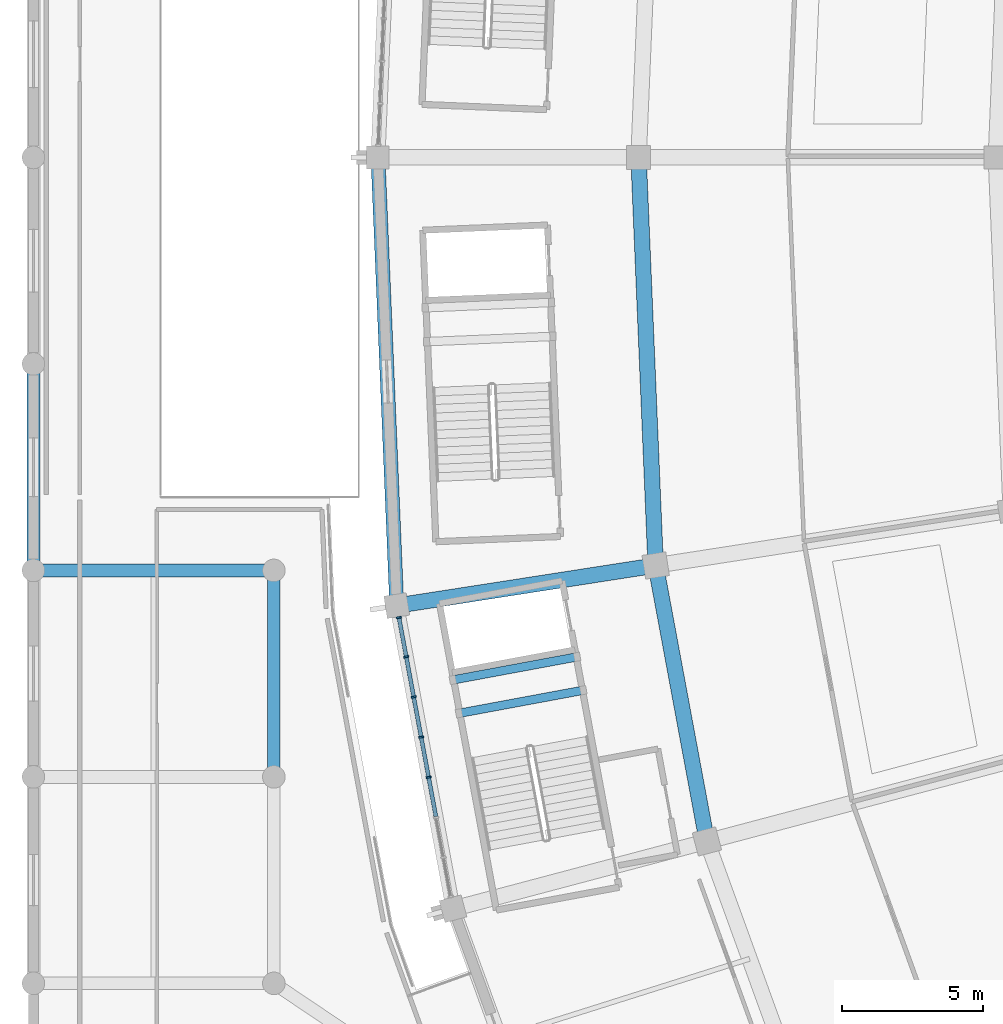
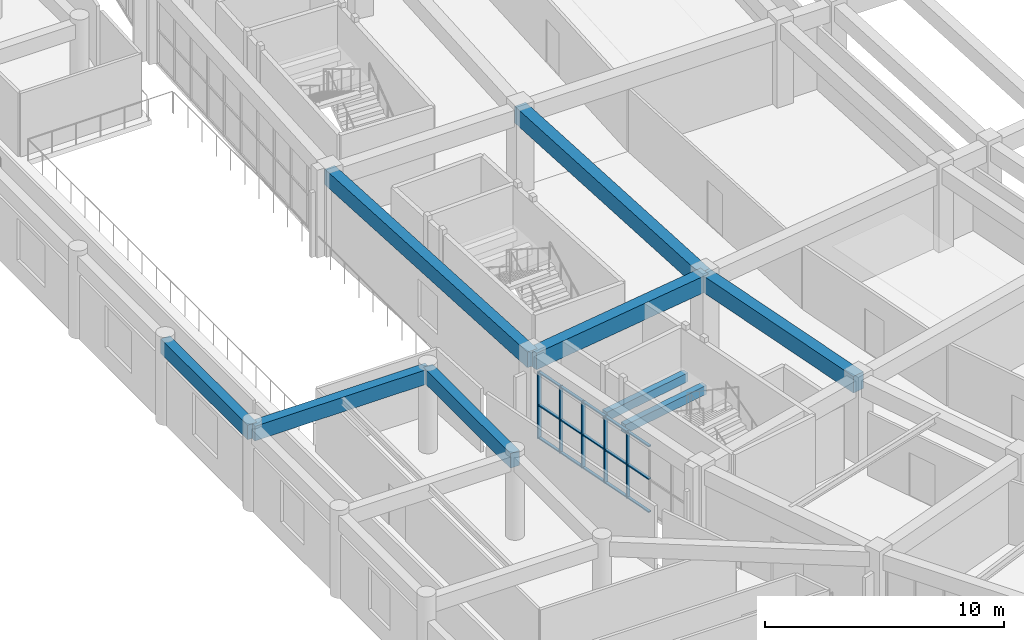
# One storey, part 25 of 145: 20 members, 9 beams, 1 element without a shape of its own.
"""IFC4 building model written with IfcOpenShell, lengths in metres."""

from ifc_helpers import new_model, si_unit, direction, frame, origin, origin_2d, place, context, subcontext, project, spatial, rectangle, extrude, material, layer, layer_set, material_profile, profile_set, type_object, element, aggregate, save


model = new_model("IFC4")

# Units and contexts
model_context = context("Model", 3, precision=1e-05, world=origin(), true_north=direction((0.0, 1.0)))
body_context = subcontext(model_context, "Body", "Model", "MODEL_VIEW")
ifc_project = project(units=[si_unit("LENGTHUNIT", "METRE"), si_unit("AREAUNIT", "SQUARE_METRE"), si_unit("VOLUMEUNIT", "CUBIC_METRE"), si_unit("PLANEANGLEUNIT", "RADIAN"), si_unit("MASSUNIT", "GRAM", prefix="KILO")], contexts=[model_context])

# Site, building, storey
site_placement = place(None, origin())
site = spatial("IfcSite", under=ifc_project, at=site_placement, CompositionType="ELEMENT")
building_placement = place(site_placement, origin())
building = spatial("IfcBuilding", under=site, at=building_placement, Name="Mphavela Belvedere Stadium", CompositionType="ELEMENT")
storey_placement = place(building_placement, frame((0.0, 0.0, 10.199951171875)))
storey = spatial("IfcBuildingStorey", under=building, at=storey_placement, Name="L02", CompositionType="ELEMENT", Elevation=10.199951171875)

# Beams
ifc_material_1 = material(Name="Concrete C40/50", Category="concrete")
ifc_material_profile_1 = material_profile(ifc_material_1, rectangle(XDim=0.300048828125, YDim=0.449951171875, at=origin_2d()), Name="RC 300x450")
ifc_profile_set_1 = profile_set([ifc_material_profile_1], Name="Concrete C40/50")
beam_type_1 = type_object("IfcBeamType", Name="BM-RC300x450", PredefinedType="BEAM", material=ifc_profile_set_1)
beam_1_placement = place(storey_placement, frame((19.440673828125, 68.16357421875, 1.824951171875), z_axis=(-0.9831891563, -0.182589931088, 0.0), x_axis=(0.182589931088, -0.9831891563, 0.0)))
element("IfcBeam", 1, at=beam_1_placement, inside=storey, type_object=beam_type_1, Name="Core C09 landing trimmer beam L02-1", PredefinedType="BEAM", context=body_context, shape_type="SweptSolid", body=[
    extrude(rectangle(XDim=0.300048828125, YDim=0.449951171875, at=origin_2d()), origin(), (0.0, 0.0, 1.0), 4.469970703125),
])
beam_2_placement = place(storey_placement, frame((19.2216796875, 69.343505859375, 1.824951171875), z_axis=(-0.983190977087, -0.182580126453, 0.0), x_axis=(0.182580126453, -0.983190977087, 0.0)))
element("IfcBeam", 2, at=beam_2_placement, inside=storey, type_object=beam_type_1, Name="Core C09 landing trimmer beam L02-2", PredefinedType="BEAM", context=body_context, shape_type="SweptSolid", body=[
    extrude(rectangle(XDim=0.300048828125, YDim=0.449951171875, at=origin_2d()), origin(), (0.0, 0.0, 1.0), 4.47021484375),
])
ifc_material_2 = material(Name="Concrete C40/50", Category="concrete")
ifc_material_profile_2 = material_profile(ifc_material_2, rectangle(XDim=0.449951171875, YDim=0.75, at=origin_2d()), Name="RC 450x750")
ifc_profile_set_2 = profile_set([ifc_material_profile_2], Name="Concrete C40/50")
beam_type_2 = type_object("IfcBeamType", Name="BM-RC450x750", PredefinedType="BEAM", material=ifc_profile_set_2)
beam_3_placement = place(storey_placement, frame((0.0, 72.39990234375, 3.864990234375), z_axis=(1.0, 0.0, 0.0), x_axis=(0.0, 1.0, 0.0)))
element("IfcBeam", 3, at=beam_3_placement, inside=storey, type_object=beam_type_2, Name="West Planted Eaves Peristyle Colonnade entablature beam X L02 1-4", PredefinedType="BEAM", context=body_context, shape_type="SweptSolid", body=[
    extrude(rectangle(XDim=0.449951171875, YDim=0.75, at=origin_2d()), origin(), (0.0, 0.0, 1.0), 8.5),
])
beam_4_placement = place(storey_placement, frame((0.0, 72.39990234375, 3.864990234375), z_axis=(0.0, 1.0, 0.0), x_axis=(-1.0, 0.0, 0.0)))
element("IfcBeam", 4, at=beam_4_placement, inside=storey, type_object=beam_type_2, Name="West Planted Eaves Peristyle Colonnade entablature beam Y L02 1-4", PredefinedType="BEAM", context=body_context, shape_type="SweptSolid", body=[
    extrude(rectangle(XDim=0.449951171875, YDim=0.75, at=origin_2d()), origin(), (0.0, 0.0, 1.0), 7.300048828125),
])
beam_5_placement = place(storey_placement, frame((8.5, 65.10009765625, 3.864990234375), z_axis=(0.0, 1.0, 0.0), x_axis=(-1.0, 0.0, 0.0)))
element("IfcBeam", 5, at=beam_5_placement, inside=storey, type_object=beam_type_2, Name="West Planted Eaves Peristyle Colonnade entablature beam Y L02 2-3", PredefinedType="BEAM", context=body_context, shape_type="SweptSolid", body=[
    extrude(rectangle(XDim=0.449951171875, YDim=0.75, at=origin_2d()), origin(), (0.0, 0.0, 1.0), 7.2998046875),
])
ifc_material_3 = material(Name="Concrete C40/50", Category="concrete")
ifc_material_profile_3 = material_profile(ifc_material_3, rectangle(XDim=0.550048828125, YDim=0.85009765625, at=origin_2d()), Name="RC 550x850")
ifc_profile_set_3 = profile_set([ifc_material_profile_3], Name="Concrete C40/50")
beam_type_3 = type_object("IfcBeamType", Name="BM-RC550x850", PredefinedType="BEAM", material=ifc_profile_set_3)
beam_6_placement = place(storey_placement, frame((21.39501953125, 87.0, 3.824951171875), z_axis=(0.041903450766, -0.99912166467, 0.0), x_axis=(0.99912166467, 0.041903450766, 0.0)))
element("IfcBeam", 6, at=beam_6_placement, inside=storey, type_object=beam_type_3, Name="Circumferential girder L02 R3-25", PredefinedType="BEAM", context=body_context, shape_type="SweptSolid", body=[
    extrude(rectangle(XDim=0.550048828125, YDim=0.85009765625, at=origin_2d()), origin(), (0.0, 0.0, 1.0), 14.4375),
])
beam_7_placement = place(storey_placement, frame((22.0, 72.5751953125, 3.824951171875), z_axis=(0.182638056683, -0.983180217585, 0.0), x_axis=(0.983180217585, 0.182638056683, 0.0)))
element("IfcBeam", 7, at=beam_7_placement, inside=storey, type_object=beam_type_3, Name="Circumferential girder L02 R3-26", PredefinedType="BEAM", context=body_context, shape_type="SweptSolid", body=[
    extrude(rectangle(XDim=0.550048828125, YDim=0.85009765625, at=origin_2d()), origin(), (0.0, 0.0, 1.0), 9.924072265625),
])
beam_8_placement = place(storey_placement, frame((22.0, 72.5751953125, 3.824951171875), z_axis=(-0.988182369303, -0.153282761586, 0.0), x_axis=(0.153282761586, -0.988182369303, 0.0)))
element("IfcBeam", 8, at=beam_8_placement, inside=storey, type_object=beam_type_3, Name="Radial concourse girder L02 R3R4-26", PredefinedType="BEAM", context=body_context, shape_type="SweptSolid", body=[
    extrude(rectangle(XDim=0.550048828125, YDim=0.85009765625, at=origin_2d()), origin(), (0.0, 0.0, 1.0), 9.264892578125),
])
ifc_material_4 = material(Name="Concrete C40/50", Category="concrete")
ifc_material_profile_4 = material_profile(ifc_material_4, rectangle(XDim=0.5, YDim=0.800048828125, at=origin_2d()), Name="RC 500x800")
ifc_profile_set_4 = profile_set([ifc_material_profile_4], Name="Concrete C40/50")
beam_type_4 = type_object("IfcBeamType", Name="BM-SPANDREL-800", PredefinedType="SPANDREL", material=ifc_profile_set_4)
beam_9_placement = place(storey_placement, frame((12.179931640625, 87.0, 3.85009765625), z_axis=(0.041903963155, -0.999121643181, 0.0), x_axis=(0.999121643181, 0.041903963155, 0.0)))
element("IfcBeam", 9, at=beam_9_placement, inside=storey, type_object=beam_type_4, Name="Circumferential girder L02 R4-25", PredefinedType="SPANDREL", context=body_context, shape_type="SweptSolid", body=[
    extrude(rectangle(XDim=0.5, YDim=0.800048828125, at=origin_2d()), origin(), (0.0, 0.0, 1.0), 15.85888671875),
])

# Curtain wall, members
ifc_material_5 = material(Name="Anodised bronze unitised curtain wall framing")
ifc_layer = layer(ifc_material_5, 0.195068359375)
ifc_layer_set = layer_set([ifc_layer], Name="Anodised bronze unitised curtain wall framing")
curtain_wall_type = type_object("IfcCurtainWallType", Name="CW-UNIT-04", PredefinedType="USERDEFINED", material=ifc_layer_set)
curtain_wall_placement = place(storey_placement, origin())
curtain_wall = element("IfcCurtainWall", 10, at=curtain_wall_placement, inside=storey, type_object=curtain_wall_type, Name="Belvedere colonnade curtain wall L02-26", ObjectType="UNITISED CURTAIN WALL", PredefinedType="USERDEFINED")
ifc_material_6 = material(Name="Anodised bronze extruded aluminium", Category="aluminium")
ifc_material_profile_5 = material_profile(ifc_material_6, rectangle(XDim=0.179931640625, YDim=0.06494140625, at=origin_2d()), Name="CW-MUL 180x65")
ifc_profile_set_5 = profile_set([ifc_material_profile_5], Name="Anodised bronze extruded aluminium")
member_type_1 = type_object("IfcMemberType", Name="CWM-180x65", PredefinedType="MULLION", material=ifc_profile_set_5)
member_1_placement = place(storey_placement, frame((12.92333984375, 70.731689453125, 0.0), z_axis=(0.0, 0.0, 1.0), x_axis=(0.983182568174, 0.182625402503, 0.0)))
member_1 = element("IfcMember", 11, at=member_1_placement, type_object=member_type_1, Name="CW-04 mullion 1", PredefinedType="MULLION", context=body_context, shape_type="SweptSolid", body=[
    extrude(rectangle(XDim=0.179931640625, YDim=0.06494140625, at=origin_2d()), origin(), (0.0, 0.0, 1.0), 3.420166015625),
])
member_2_placement = place(storey_placement, frame((13.180908203125, 69.344482421875, 0.0), z_axis=(0.0, 0.0, 1.0), x_axis=(0.983182568174, 0.182625402503, 0.0)))
member_2 = element("IfcMember", 12, at=member_2_placement, type_object=member_type_1, Name="CW-04 mullion 2", PredefinedType="MULLION", context=body_context, shape_type="SweptSolid", body=[
    extrude(rectangle(XDim=0.179931640625, YDim=0.06494140625, at=origin_2d()), origin(), (0.0, 0.0, 1.0), 3.420166015625),
])
member_3_placement = place(storey_placement, frame((13.444580078125, 67.925048828125, 0.0), z_axis=(0.0, 0.0, 1.0), x_axis=(0.983182568174, 0.182625402503, 0.0)))
member_3 = element("IfcMember", 13, at=member_3_placement, type_object=member_type_1, Name="CW-04 mullion 3", PredefinedType="MULLION", context=body_context, shape_type="SweptSolid", body=[
    extrude(rectangle(XDim=0.179931640625, YDim=0.06494140625, at=origin_2d()), origin(), (0.0, 0.0, 1.0), 3.420166015625),
])
member_4_placement = place(storey_placement, frame((13.708251953125, 66.505859375, 0.0), z_axis=(0.0, 0.0, 1.0), x_axis=(0.983182568174, 0.182625402503, 0.0)))
member_4 = element("IfcMember", 14, at=member_4_placement, type_object=member_type_1, Name="CW-04 mullion 4", PredefinedType="MULLION", context=body_context, shape_type="SweptSolid", body=[
    extrude(rectangle(XDim=0.179931640625, YDim=0.06494140625, at=origin_2d()), origin(), (0.0, 0.0, 1.0), 3.420166015625),
])
member_5_placement = place(storey_placement, frame((13.971923828125, 65.086669921875, 0.0), z_axis=(0.0, 0.0, 1.0), x_axis=(0.983182568174, 0.182625402503, 0.0)))
member_5 = element("IfcMember", 15, at=member_5_placement, type_object=member_type_1, Name="CW-04 mullion 5", PredefinedType="MULLION", context=body_context, shape_type="SweptSolid", body=[
    extrude(rectangle(XDim=0.179931640625, YDim=0.06494140625, at=origin_2d()), origin(), (0.0, 0.0, 1.0), 3.420166015625),
])
ifc_material_7 = material(Name="Anodised bronze extruded aluminium", Category="aluminium")
ifc_material_profile_6 = material_profile(ifc_material_7, rectangle(XDim=0.139892578125, YDim=0.06005859375, at=origin_2d()), Name="CW-TRN 140x60")
ifc_profile_set_6 = profile_set([ifc_material_profile_6], Name="Anodised bronze extruded aluminium")
member_type_2 = type_object("IfcMemberType", Name="CWT-140x60", PredefinedType="USERDEFINED", material=ifc_profile_set_6)
member_6_placement = place(storey_placement, frame((12.92919921875, 70.69970703125, 0.030029296875), z_axis=(0.182667343216, -0.983174776793, 0.0), x_axis=(0.983174776793, 0.182667343216, 0.0)))
member_6 = element("IfcMember", 16, at=member_6_placement, type_object=member_type_2, Name="CW-04 transom 1.1", ObjectType="TRANSOM", PredefinedType="USERDEFINED", context=body_context, shape_type="SweptSolid", body=[
    extrude(rectangle(XDim=0.139892578125, YDim=0.06005859375, at=origin_2d()), origin(), (0.0, 0.0, 1.0), 1.345947265625),
])
member_7_placement = place(storey_placement, frame((12.92919921875, 70.69970703125, 1.7099609375), z_axis=(0.182667343216, -0.983174776793, 0.0), x_axis=(0.983174776793, 0.182667343216, 0.0)))
member_7 = element("IfcMember", 17, at=member_7_placement, type_object=member_type_2, Name="CW-04 transom 1.2", ObjectType="TRANSOM", PredefinedType="USERDEFINED", context=body_context, shape_type="SweptSolid", body=[
    extrude(rectangle(XDim=0.139892578125, YDim=0.06005859375, at=origin_2d()), origin(), (0.0, 0.0, 1.0), 1.345947265625),
])
member_8_placement = place(storey_placement, frame((12.92919921875, 70.69970703125, 3.39013671875), z_axis=(0.182667343216, -0.983174776793, 0.0), x_axis=(0.983174776793, 0.182667343216, 0.0)))
member_8 = element("IfcMember", 18, at=member_8_placement, type_object=member_type_2, Name="CW-04 transom 1.3", ObjectType="TRANSOM", PredefinedType="USERDEFINED", context=body_context, shape_type="SweptSolid", body=[
    extrude(rectangle(XDim=0.139892578125, YDim=0.06005859375, at=origin_2d()), origin(), (0.0, 0.0, 1.0), 1.345947265625),
])
member_9_placement = place(storey_placement, frame((13.186767578125, 69.3125, 0.030029296875), z_axis=(0.182748697286, -0.983159658265, 0.0), x_axis=(0.983159658265, 0.182748697286, 0.0)))
member_9 = element("IfcMember", 19, at=member_9_placement, type_object=member_type_2, Name="CW-04 transom 2.1", ObjectType="TRANSOM", PredefinedType="USERDEFINED", context=body_context, shape_type="SweptSolid", body=[
    extrude(rectangle(XDim=0.139892578125, YDim=0.06005859375, at=origin_2d()), origin(), (0.0, 0.0, 1.0), 1.378662109375),
])
member_10_placement = place(storey_placement, frame((13.186767578125, 69.3125, 1.7099609375), z_axis=(0.182748697286, -0.983159658265, 0.0), x_axis=(0.983159658265, 0.182748697286, 0.0)))
member_10 = element("IfcMember", 20, at=member_10_placement, type_object=member_type_2, Name="CW-04 transom 2.2", ObjectType="TRANSOM", PredefinedType="USERDEFINED", context=body_context, shape_type="SweptSolid", body=[
    extrude(rectangle(XDim=0.139892578125, YDim=0.06005859375, at=origin_2d()), origin(), (0.0, 0.0, 1.0), 1.378662109375),
])
member_11_placement = place(storey_placement, frame((13.186767578125, 69.3125, 3.39013671875), z_axis=(0.182748697286, -0.983159658265, 0.0), x_axis=(0.983159658265, 0.182748697286, 0.0)))
member_11 = element("IfcMember", 21, at=member_11_placement, type_object=member_type_2, Name="CW-04 transom 2.3", ObjectType="TRANSOM", PredefinedType="USERDEFINED", context=body_context, shape_type="SweptSolid", body=[
    extrude(rectangle(XDim=0.139892578125, YDim=0.06005859375, at=origin_2d()), origin(), (0.0, 0.0, 1.0), 1.378662109375),
])
member_12_placement = place(storey_placement, frame((13.450439453125, 67.893310546875, 0.030029296875), z_axis=(0.182577520933, -0.983191460932, 0.0), x_axis=(0.983191460932, 0.182577520933, 0.0)))
member_12 = element("IfcMember", 22, at=member_12_placement, type_object=member_type_2, Name="CW-04 transom 3.1", ObjectType="TRANSOM", PredefinedType="USERDEFINED", context=body_context, shape_type="SweptSolid", body=[
    extrude(rectangle(XDim=0.139892578125, YDim=0.06005859375, at=origin_2d()), origin(), (0.0, 0.0, 1.0), 1.378662109375),
])
member_13_placement = place(storey_placement, frame((13.450439453125, 67.893310546875, 1.7099609375), z_axis=(0.182577520933, -0.983191460932, 0.0), x_axis=(0.983191460932, 0.182577520933, 0.0)))
member_13 = element("IfcMember", 23, at=member_13_placement, type_object=member_type_2, Name="CW-04 transom 3.2", ObjectType="TRANSOM", PredefinedType="USERDEFINED", context=body_context, shape_type="SweptSolid", body=[
    extrude(rectangle(XDim=0.139892578125, YDim=0.06005859375, at=origin_2d()), origin(), (0.0, 0.0, 1.0), 1.378662109375),
])
member_14_placement = place(storey_placement, frame((13.450439453125, 67.893310546875, 3.39013671875), z_axis=(0.182577520933, -0.983191460932, 0.0), x_axis=(0.983191460932, 0.182577520933, 0.0)))
member_14 = element("IfcMember", 24, at=member_14_placement, type_object=member_type_2, Name="CW-04 transom 3.3", ObjectType="TRANSOM", PredefinedType="USERDEFINED", context=body_context, shape_type="SweptSolid", body=[
    extrude(rectangle(XDim=0.139892578125, YDim=0.06005859375, at=origin_2d()), origin(), (0.0, 0.0, 1.0), 1.378662109375),
])
member_15_placement = place(storey_placement, frame((13.714111328125, 66.473876953125, 0.030029296875), z_axis=(0.182609315167, -0.983185556248, 0.0), x_axis=(0.983185556248, 0.182609315167, 0.0)))
member_15 = element("IfcMember", 25, at=member_15_placement, type_object=member_type_2, Name="CW-04 transom 4.1", ObjectType="TRANSOM", PredefinedType="USERDEFINED", context=body_context, shape_type="SweptSolid", body=[
    extrude(rectangle(XDim=0.139892578125, YDim=0.06005859375, at=origin_2d()), origin(), (0.0, 0.0, 1.0), 1.37841796875),
])
member_16_placement = place(storey_placement, frame((13.714111328125, 66.473876953125, 1.7099609375), z_axis=(0.182609315167, -0.983185556248, 0.0), x_axis=(0.983185556248, 0.182609315167, 0.0)))
member_16 = element("IfcMember", 26, at=member_16_placement, type_object=member_type_2, Name="CW-04 transom 4.2", ObjectType="TRANSOM", PredefinedType="USERDEFINED", context=body_context, shape_type="SweptSolid", body=[
    extrude(rectangle(XDim=0.139892578125, YDim=0.06005859375, at=origin_2d()), origin(), (0.0, 0.0, 1.0), 1.37841796875),
])
member_17_placement = place(storey_placement, frame((13.714111328125, 66.473876953125, 3.39013671875), z_axis=(0.182609315167, -0.983185556248, 0.0), x_axis=(0.983185556248, 0.182609315167, 0.0)))
member_17 = element("IfcMember", 27, at=member_17_placement, type_object=member_type_2, Name="CW-04 transom 4.3", ObjectType="TRANSOM", PredefinedType="USERDEFINED", context=body_context, shape_type="SweptSolid", body=[
    extrude(rectangle(XDim=0.139892578125, YDim=0.06005859375, at=origin_2d()), origin(), (0.0, 0.0, 1.0), 1.37841796875),
])
member_18_placement = place(storey_placement, frame((13.977783203125, 65.0546875, 0.030029296875), z_axis=(0.182577520933, -0.983191460932, 0.0), x_axis=(0.983191460932, 0.182577520933, 0.0)))
member_18 = element("IfcMember", 28, at=member_18_placement, type_object=member_type_2, Name="CW-04 transom 5.1", ObjectType="TRANSOM", PredefinedType="USERDEFINED", context=body_context, shape_type="SweptSolid", body=[
    extrude(rectangle(XDim=0.139892578125, YDim=0.06005859375, at=origin_2d()), origin(), (0.0, 0.0, 1.0), 1.378662109375),
])
member_19_placement = place(storey_placement, frame((13.977783203125, 65.0546875, 1.7099609375), z_axis=(0.182577520933, -0.983191460932, 0.0), x_axis=(0.983191460932, 0.182577520933, 0.0)))
member_19 = element("IfcMember", 29, at=member_19_placement, type_object=member_type_2, Name="CW-04 transom 5.2", ObjectType="TRANSOM", PredefinedType="USERDEFINED", context=body_context, shape_type="SweptSolid", body=[
    extrude(rectangle(XDim=0.139892578125, YDim=0.06005859375, at=origin_2d()), origin(), (0.0, 0.0, 1.0), 1.378662109375),
])
member_20_placement = place(storey_placement, frame((13.977783203125, 65.0546875, 3.39013671875), z_axis=(0.182577520933, -0.983191460932, 0.0), x_axis=(0.983191460932, 0.182577520933, 0.0)))
member_20 = element("IfcMember", 30, at=member_20_placement, type_object=member_type_2, Name="CW-04 transom 5.3", ObjectType="TRANSOM", PredefinedType="USERDEFINED", context=body_context, shape_type="SweptSolid", body=[
    extrude(rectangle(XDim=0.139892578125, YDim=0.06005859375, at=origin_2d()), origin(), (0.0, 0.0, 1.0), 1.378662109375),
])
aggregate(curtain_wall, [member_1, member_2, member_3, member_4, member_5, member_6, member_7, member_8, member_9, member_10, member_11, member_12, member_13, member_14, member_15, member_16, member_17, member_18, member_19, member_20])

save(model, "model.ifc")
